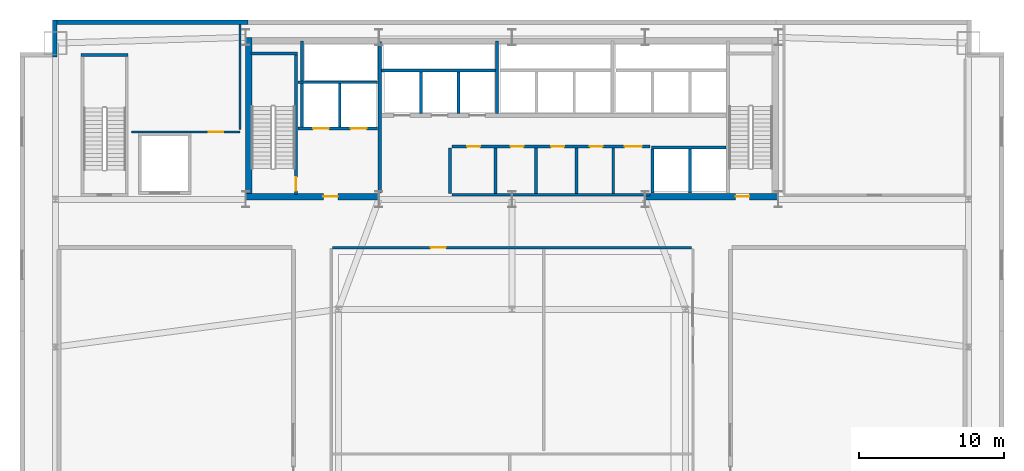
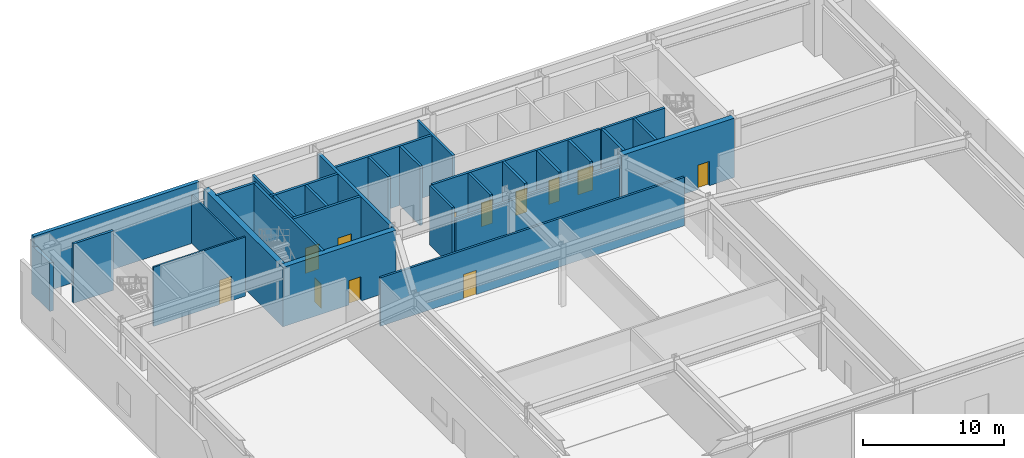
# One storey, part 9 of 12: 30 walls, 12 doors, 12 openings.
"""IFC4 building model written with IfcOpenShell, lengths in metres."""

import ifcopenshell
import ifcopenshell.guid

model = None  # the IFC model being written
_history = None  # IfcOwnerHistory: only IFC2X3 demands one
_inside = {}  # id of a spatial element -> (the spatial element, [elements in it])
_under = {}  # id of a project, library or spatial element -> (it, [spatial elements below it])
_declared = {}  # id of a project -> (the project, [libraries it declares])
_typed = {}  # id of a type object -> (the type object, [elements of that type])
_made_of = {}  # id of a material, layer set ... -> (it, [elements and type objects made of it])


def new_model(schema):
    """Start an empty IFC model of exactly this schema.

    Asked for "IFC4X3", IfcOpenShell would pick the latest addendum, in which some entities
    have other attributes; the version numbers below select the first issue.
    IFC2X3 requires an IfcOwnerHistory on every rooted entity: one is made here for all.
    """
    global model, _history
    if schema == "IFC4X3":
        model = ifcopenshell.file(schema_version=(4, 3, 0, 0))
    else:
        model = ifcopenshell.file(schema=schema)
    _inside.clear()
    _under.clear()
    _declared.clear()
    _typed.clear()
    _made_of.clear()
    _history = None
    if model.schema == "IFC2X3":
        org = make("IfcOrganization", Name="unknown")
        user = make(
            "IfcPersonAndOrganization",
            ThePerson=make("IfcPerson", FamilyName="unknown"),
            TheOrganization=org,
        )
        app = make(
            "IfcApplication",
            ApplicationDeveloper=org,
            Version="unknown",
            ApplicationFullName="unknown",
            ApplicationIdentifier="unknown",
        )
        _history = make(
            "IfcOwnerHistory",
            OwningUser=user,
            OwningApplication=app,
            ChangeAction="ADDED",
            CreationDate=0,
        )
    return model


def make(cls, **values):
    """One entity of the class cls with the attributes given. An attribute that is None is left unset."""
    return model.create_entity(
        cls, **{name: value for name, value in values.items() if value is not None}
    )


def rooted(cls, **values):
    """An entity with a GlobalId (a new one), such as an element, a storey or a relation."""
    return make(cls, GlobalId=ifcopenshell.guid.new(), OwnerHistory=_history, **values)


def si_unit(unit_type, name, prefix=None):
    """IfcSIUnit, for example si_unit("LENGTHUNIT", "METRE", prefix="MILLI")."""
    return make("IfcSIUnit", UnitType=unit_type, Prefix=prefix, Name=name)


def assignment(units):
    """IfcUnitAssignment: the units of a project."""
    return None if units is None else make("IfcUnitAssignment", Units=units)


def point(xyz):
    """IfcCartesianPoint."""
    return None if xyz is None else make("IfcCartesianPoint", Coordinates=xyz)


def direction(xyz):
    """IfcDirection."""
    return None if xyz is None else make("IfcDirection", DirectionRatios=xyz)


def frame(location, z_axis=None, x_axis=None):
    """IfcAxis2Placement3D, a coordinate frame: its origin and axes. An axis left out is left unset."""
    return make(
        "IfcAxis2Placement3D",
        Location=point(location),
        Axis=direction(z_axis),
        RefDirection=direction(x_axis),
    )


def frame_2d(location, x_axis=None):
    """IfcAxis2Placement2D, a coordinate frame in the plane: its origin and x axis."""
    return make(
        "IfcAxis2Placement2D", Location=point(location), RefDirection=direction(x_axis)
    )


def origin():
    """The frame at (0, 0, 0) with its axes left unset."""
    return frame((0.0, 0.0, 0.0))


def place(relative_to, where):
    """IfcLocalPlacement: puts the frame where relative to a parent placement (None: the world)."""
    return make(
        "IfcLocalPlacement", PlacementRelTo=relative_to, RelativePlacement=where
    )


def context(
    kind, dimensions, precision=None, world=None, true_north=None, identifier=None
):
    """IfcGeometricRepresentationContext, for example the 3D "Model" context."""
    return make(
        "IfcGeometricRepresentationContext",
        ContextIdentifier=identifier,
        ContextType=kind,
        CoordinateSpaceDimension=dimensions,
        Precision=precision,
        WorldCoordinateSystem=world,
        TrueNorth=true_north,
    )


def subcontext(parent, identifier, kind, view, scale=None):
    """IfcGeometricRepresentationSubContext, for example "Body" below "Model"."""
    return make(
        "IfcGeometricRepresentationSubContext",
        ContextIdentifier=identifier,
        ContextType=kind,
        ParentContext=parent,
        TargetScale=scale,
        TargetView=view,
    )


def project(units=None, contexts=None):
    """IfcProject with its units and contexts."""
    return rooted(
        "IfcProject",
        Name="project",
        RepresentationContexts=contexts,
        UnitsInContext=assignment(units),
    )


def spatial(cls, under=None, at=None, **own):
    """A site, building, storey or space (cls), placed at a placement, below another one or the project."""
    s = rooted(cls, ObjectPlacement=at, **own)
    if under is not None:
        _under.setdefault(under.id(), (under, []))[1].append(s)
    return s


def profile(cls, at=None, kind="AREA", **sizes):
    """A parametric profile (cls). Its sizes go by their IFC names, for example OverallWidth=200.0."""
    return make(cls, ProfileType=kind, Position=at, **sizes)


def rectangle(**sizes):
    """IfcRectangleProfileDef."""
    return profile("IfcRectangleProfileDef", **sizes)


def extrude(swept, where, along, depth):
    """IfcExtrudedAreaSolid: the profile swept, set in the frame where, extruded along a direction by depth."""
    return make(
        "IfcExtrudedAreaSolid",
        SweptArea=swept,
        Position=where,
        ExtrudedDirection=direction(along),
        Depth=depth,
    )


def shape(context_of_items, identifier, shape_type, items):
    """IfcShapeRepresentation: the items that make up one representation, for example the "Body"."""
    return make(
        "IfcShapeRepresentation",
        ContextOfItems=context_of_items,
        RepresentationIdentifier=identifier,
        RepresentationType=shape_type,
        Items=items,
    )


def source(mapping_origin, context_of_items, identifier, shape_type, items):
    """IfcRepresentationMap: a shape defined once, which mapped items show again and again."""
    return make(
        "IfcRepresentationMap",
        MappingOrigin=mapping_origin,
        MappedRepresentation=shape(context_of_items, identifier, shape_type, items),
    )


def transform(
    local_origin,
    x_axis=None,
    y_axis=None,
    z_axis=None,
    scale=None,
    scale2=None,
    scale3=None,
    uniform=True,
):
    """IfcCartesianTransformationOperator3D, or its non-uniform kind. x_axis, y_axis, z_axis: its Axis1, 2, 3."""
    if uniform:
        return make(
            "IfcCartesianTransformationOperator3D",
            Axis1=direction(x_axis),
            Axis2=direction(y_axis),
            LocalOrigin=point(local_origin),
            Scale=scale,
            Axis3=direction(z_axis),
        )
    return make(
        "IfcCartesianTransformationOperator3DnonUniform",
        Axis1=direction(x_axis),
        Axis2=direction(y_axis),
        LocalOrigin=point(local_origin),
        Scale=scale,
        Axis3=direction(z_axis),
        Scale2=scale2,
        Scale3=scale3,
    )


def mapped(mapping_source, mapping_target):
    """IfcMappedItem: shows the shape of a source again, moved by a transform."""
    return make(
        "IfcMappedItem", MappingSource=mapping_source, MappingTarget=mapping_target
    )


def material(Name=None, Category=None):
    """IfcMaterial."""
    return make("IfcMaterial", Name=Name, Category=Category)


def layer(
    of_material, thickness, ventilated=None, Name=None, Category=None, Priority=None
):
    """IfcMaterialLayer: one layer of a wall or slab, of a material (None: an air gap)."""
    return make(
        "IfcMaterialLayer",
        Material=of_material,
        LayerThickness=thickness,
        IsVentilated=ventilated,
        Name=Name,
        Category=Category,
        Priority=Priority,
    )


def layer_set(layers, Name=None):
    """IfcMaterialLayerSet."""
    return make("IfcMaterialLayerSet", MaterialLayers=layers, LayerSetName=Name)


def made_of(thing, what):
    """Note that an element or type object is made of a material, layer set ...; save() writes the relation."""
    if what is not None:
        _made_of.setdefault(what.id(), (what, []))[1].append(thing)
    return thing


def type_object(cls, material=None, **own):
    """A type object (cls), such as IfcWallType, which elements share."""
    return made_of(rooted(cls, **own), material)


def type_shapes(of_type, sources):
    """Give a type object the sources (RepresentationMaps) that its elements show as mapped items."""
    of_type.RepresentationMaps = sources


def element(
    cls,
    number,
    at=None,
    inside=None,
    cuts=None,
    type_object=None,
    material=None,
    context=None,
    identifier="Body",
    shape_type=None,
    held_by="IfcProductDefinitionShape",
    body=None,
    shapes=None,
    **own,
):
    """One element of the class cls, such as IfcWall. Its Tag is "e" and its number.

    at: its placement. inside: the storey or other place that contains it. cuts: it is an
    opening in that element (IfcRelVoidsElement). A single representation is given by context,
    identifier, shape_type and body (its items); several are given by shapes. held_by: the class
    of the entity that holds the representations. save() writes the other relations.
    """
    e = rooted(cls, Tag="e%d" % number, ObjectPlacement=at, **own)
    if body is not None:
        shapes = [shape(context, identifier, shape_type, body)]
    if shapes is not None:
        e.Representation = make(held_by, Representations=shapes)
    if inside is not None:
        _inside.setdefault(inside.id(), (inside, []))[1].append(e)
    if cuts is not None:
        rooted(
            "IfcRelVoidsElement", RelatingBuildingElement=cuts, RelatedOpeningElement=e
        )
    if type_object is not None:
        _typed.setdefault(type_object.id(), (type_object, []))[1].append(e)
    return made_of(e, material)


def fill(opening, filler):
    """IfcRelFillsElement: the door or window that sits in an opening."""
    return rooted(
        "IfcRelFillsElement",
        RelatingOpeningElement=opening,
        RelatedBuildingElement=filler,
    )


def aggregate(whole, parts):
    """IfcRelAggregates: a whole, such as a stair, and the parts it consists of."""
    return rooted("IfcRelAggregates", RelatingObject=whole, RelatedObjects=parts)


def save(model, path):
    """Write the relations noted so far, then the file.

    IfcRelAggregates (storeys below a building ...), IfcRelContainedInSpatialStructure (elements
    in a storey), IfcRelDefinesByType, IfcRelAssociatesMaterial and IfcRelDeclares: one each for
    every whole, place, type object, material and project.
    """
    for whole, parts in _under.values():
        aggregate(whole, parts)
    for where, things in _inside.values():
        rooted(
            "IfcRelContainedInSpatialStructure",
            RelatedElements=things,
            RelatingStructure=where,
        )
    for kind, things in _typed.values():
        rooted("IfcRelDefinesByType", RelatedObjects=things, RelatingType=kind)
    for what, things in _made_of.values():
        rooted("IfcRelAssociatesMaterial", RelatedObjects=things, RelatingMaterial=what)
    for by, libraries in _declared.values():
        rooted("IfcRelDeclares", RelatingContext=by, RelatedDefinitions=libraries)
    model.write(path)


model = new_model("IFC4")

# Units and contexts
model_context = context("Model", 3, precision=1e-05, world=origin(), true_north=direction((0.0, 1.0)))
body_context = subcontext(model_context, "Body", "Model", "MODEL_VIEW")
ifc_project = project(units=[si_unit("LENGTHUNIT", "METRE"), si_unit("AREAUNIT", "SQUARE_METRE"), si_unit("VOLUMEUNIT", "CUBIC_METRE"), si_unit("PLANEANGLEUNIT", "RADIAN"), si_unit("MASSUNIT", "GRAM", prefix="KILO")], contexts=[model_context])

# Site, building, storey
site_placement = place(None, origin())
site = spatial("IfcSite", under=ifc_project, at=site_placement, CompositionType="ELEMENT")
building_placement = place(site_placement, origin())
building = spatial("IfcBuilding", under=site, at=building_placement, Name="Varnel Quay Broadcast Tower", CompositionType="ELEMENT")
storey_placement = place(building_placement, frame((0.0, 0.0, 11.39990234375)))
storey = spatial("IfcBuildingStorey", under=building, at=storey_placement, Name="L02", CompositionType="ELEMENT", Elevation=11.39990234375)

# Wall, opening, door
ifc_material_1 = material(Name="Concrete CSA A23.3 C50/60", Category="concrete")
ifc_layer_1 = layer(ifc_material_1, 0.199951171875, Name="Concrete CSA A23.3 C50/60")
ifc_layer_set_1 = layer_set([ifc_layer_1], Name="Concrete CSA A23.3 C50/60")
wall_type_1 = type_object("IfcWallType", Name="Wall_CoreShaftShear200", PredefinedType="SHEAR", material=ifc_layer_set_1)
wall_1_placement = place(storey_placement, frame((19.080078125, 35.949951171875, 0.0), z_axis=(0.0, 0.0, 1.0), x_axis=(0.0, 1.0, 0.0)))
wall_1 = element("IfcWall", 1, at=wall_1_placement, inside=storey, type_object=wall_type_1, Name="L02 Stair 1 East Structural Wall", PredefinedType="SHEAR", context=body_context, shape_type="SweptSolid", body=[
    extrude(rectangle(XDim=9.650146484375, YDim=0.199951171875, at=frame_2d((4.8251953125, 0.0))), origin(), (0.0, 0.0, 1.0), 5.1201171875),
])
opening_1_placement = place(wall_1_placement, frame((0.25, 0.0, 0.0)))
opening_1 = element("IfcOpeningElement", 2, at=opening_1_placement, cuts=wall_1, Name="Opening D-L02-S1", PredefinedType="OPENING", context=body_context, shape_type="SweptSolid", body=[
    extrude(rectangle(XDim=0.949951171875, YDim=2.10009765625, at=frame_2d((0.47509765625, 1.050048828125))), frame((0.0, 0.10986328125, 0.0), z_axis=(0.0, -1.0, 0.0), x_axis=(1.0, 0.0, 0.0)), (0.0, 0.0, 1.0), 0.219970703125),
])
ifc_material_2 = material(Name="Insulated Fire-Rated Hollow Steel Door", Category="steel")
door_type_1 = type_object("IfcDoorType", Name="Door_FireStair950", OperationType="NOTDEFINED", PredefinedType="DOOR", material=ifc_material_2)
shared_shape_1 = source(origin(), body_context, "Body", "SweptSolid", [
    extrude(rectangle(XDim=0.949951171875, YDim=2.10009765625, at=frame_2d((0.47509765625, 1.050048828125))), frame((0.0, 0.02490234375, 0.0), z_axis=(0.0, -1.0, 0.0), x_axis=(1.0, 0.0, 0.0)), (0.0, 0.0, 1.0), 0.050048828125),
])
type_shapes(door_type_1, [shared_shape_1])
door_1_placement = place(opening_1_placement, origin())
door_1 = element("IfcDoor", 3, at=door_1_placement, inside=storey, type_object=door_type_1, Name="L02 Stair 1 Fire Door", OperationType="SINGLE_SWING_RIGHT", OverallHeight=2.10009765625, OverallWidth=0.949951171875, PredefinedType="DOOR", context=body_context, shape_type="MappedRepresentation", body=[
    mapped(shared_shape_1, transform((0.0, 0.0, 0.0), x_axis=(1.0, 0.0, 0.0), y_axis=(0.0, 1.0, 0.0), z_axis=(0.0, 0.0, 1.0), scale=1.0)),
])
fill(opening_1, door_1)

# Wall
wall_2_placement = place(storey_placement, frame((15.949951171875, 45.679931640625, 0.0), z_axis=(0.0, 0.0, 1.0), x_axis=(1.0, 0.0, 0.0)))
element("IfcWall", 4, at=wall_2_placement, inside=storey, type_object=wall_type_1, Name="L02 Stair 1 North Structural Wall", PredefinedType="SHEAR", context=body_context, shape_type="SweptSolid", body=[
    extrude(rectangle(XDim=3.22998046875, YDim=0.199951171875, at=frame_2d((1.614990234375, 0.0))), origin(), (0.0, 0.0, 1.0), 5.1201171875),
])

# Wall, openings, doors
wall_3_placement = place(storey_placement, frame((19.199951171875, 40.5, 0.0), z_axis=(0.0, 0.0, 1.0), x_axis=(1.0, 0.0, 0.0)))
wall_3 = element("IfcWall", 5, at=wall_3_placement, inside=storey, type_object=wall_type_1, Name="L02 Firefighter Lift Shaft Front Wall", PredefinedType="SHEAR", context=body_context, shape_type="SweptSolid", body=[
    extrude(rectangle(XDim=5.52001953125, YDim=0.199951171875, at=frame_2d((2.760009765625, 0.0))), origin(), (0.0, 0.0, 1.0), 5.1201171875),
])
opening_2_placement = place(wall_3_placement, frame((1.050048828125, 0.0, 0.0)))
opening_2 = element("IfcOpeningElement", 6, at=opening_2_placement, cuts=wall_3, Name="Opening LD-L02-FE1", PredefinedType="OPENING", context=body_context, shape_type="SweptSolid", body=[
    extrude(rectangle(XDim=1.10009765625, YDim=2.179931640625, at=frame_2d((0.550048828125, 1.08984375))), frame((0.0, 0.10986328125, 0.0), z_axis=(0.0, -1.0, 0.0), x_axis=(1.0, 0.0, 0.0)), (0.0, 0.0, 1.0), 0.219970703125),
])
opening_3_placement = place(wall_3_placement, frame((3.64990234375, 0.0, 0.0)))
opening_3 = element("IfcOpeningElement", 7, at=opening_3_placement, cuts=wall_3, Name="Opening LD-L02-FE2", PredefinedType="OPENING", context=body_context, shape_type="SweptSolid", body=[
    extrude(rectangle(XDim=1.10009765625, YDim=2.179931640625, at=frame_2d((0.550048828125, 1.08984375))), frame((0.0, 0.10986328125, 0.0), z_axis=(0.0, -1.0, 0.0), x_axis=(1.0, 0.0, 0.0)), (0.0, 0.0, 1.0), 0.219970703125),
])
ifc_material_3 = material(Name="Brushed Bronze-Stainless Lift Car & Sliding Doors", Category="steel")
door_type_2 = type_object("IfcDoorType", Name="Door_LiftLanding1100", OperationType="SLIDING_TO_LEFT", PredefinedType="DOOR", material=ifc_material_3)
shared_shape_2 = source(origin(), body_context, "Body", "SweptSolid", [
    extrude(rectangle(XDim=1.10009765625, YDim=2.179931640625, at=frame_2d((0.550048828125, 1.08984375))), frame((0.0, 0.02490234375, 0.0), z_axis=(0.0, -1.0, 0.0), x_axis=(1.0, 0.0, 0.0)), (0.0, 0.0, 1.0), 0.050048828125),
])
type_shapes(door_type_2, [shared_shape_2])
door_2_placement = place(opening_2_placement, frame((1.10009765625, 0.0, 0.0), z_axis=(0.0, 0.0, 1.0), x_axis=(-1.0, 0.0, 0.0)))
door_2 = element("IfcDoor", 8, at=door_2_placement, inside=storey, type_object=door_type_2, Name="L02 Firefighter Lift FE-01 Landing Door", OperationType="SLIDING_TO_LEFT", OverallHeight=2.179931640625, OverallWidth=1.10009765625, PredefinedType="DOOR", context=body_context, shape_type="MappedRepresentation", body=[
    mapped(shared_shape_2, transform((0.0, 0.0, 0.0), x_axis=(1.0, 0.0, 0.0), y_axis=(0.0, 1.0, 0.0), z_axis=(0.0, 0.0, 1.0), scale=1.0)),
])
fill(opening_2, door_2)
door_3_placement = place(opening_3_placement, frame((1.10009765625, 0.0, 0.0), z_axis=(0.0, 0.0, 1.0), x_axis=(-1.0, 0.0, 0.0)))
door_3 = element("IfcDoor", 9, at=door_3_placement, inside=storey, type_object=door_type_2, Name="L02 Firefighter Lift FE-02 Landing Door", OperationType="SLIDING_TO_RIGHT", OverallHeight=2.179931640625, OverallWidth=1.10009765625, PredefinedType="DOOR", context=body_context, shape_type="MappedRepresentation", body=[
    mapped(shared_shape_2, transform((0.0, 0.0, 0.0), x_axis=(1.0, 0.0, 0.0), y_axis=(0.0, 1.0, 0.0), z_axis=(0.0, 0.0, 1.0), scale=1.0)),
])
fill(opening_3, door_3)

# Walls
wall_4_placement = place(storey_placement, frame((19.199951171875, 43.699951171875, 0.0), z_axis=(0.0, 0.0, 1.0), x_axis=(1.0, 0.0, 0.0)))
element("IfcWall", 10, at=wall_4_placement, inside=storey, type_object=wall_type_1, Name="L02 Firefighter Lift Shaft Rear Wall", PredefinedType="SHEAR", context=body_context, shape_type="SweptSolid", body=[
    extrude(rectangle(XDim=5.52001953125, YDim=0.199951171875, at=frame_2d((2.760009765625, 0.0))), origin(), (0.0, 0.0, 1.0), 5.1201171875),
])
wall_5_placement = place(storey_placement, frame((22.10009765625, 40.60009765625, 0.0), z_axis=(0.0, 0.0, 1.0), x_axis=(0.0, 1.0, 0.0)))
element("IfcWall", 11, at=wall_5_placement, inside=storey, type_object=wall_type_1, Name="L02 Firefighter Lift Shaft Divider", PredefinedType="SHEAR", context=body_context, shape_type="SweptSolid", body=[
    extrude(rectangle(XDim=3.0, YDim=0.199951171875, at=frame_2d((1.5, 0.0))), origin(), (0.0, 0.0, 1.0), 5.1201171875),
])
wall_6_placement = place(storey_placement, frame((19.5, 40.60009765625, 0.0), z_axis=(0.0, 0.0, 1.0), x_axis=(0.0, 1.0, 0.0)))
element("IfcWall", 12, at=wall_6_placement, inside=storey, type_object=wall_type_1, Name="L02 Firefighter Lift Shaft West Wall", PredefinedType="SHEAR", context=body_context, shape_type="SweptSolid", body=[
    extrude(rectangle(XDim=5.949951171875, YDim=0.199951171875, at=frame_2d((2.97509765625, 0.0))), origin(), (0.0, 0.0, 1.0), 5.1201171875),
])
wall_7_placement = place(storey_placement, frame((24.97998046875, 44.5, 0.0), z_axis=(0.0, 0.0, 1.0), x_axis=(1.0, 0.0, 0.0)))
element("IfcWall", 13, at=wall_7_placement, inside=storey, type_object=wall_type_1, Name="L02 Low-Rise Lift Shaft Rear Wall", PredefinedType="SHEAR", context=body_context, shape_type="SweptSolid", body=[
    extrude(rectangle(XDim=7.8701171875, YDim=0.199951171875, at=frame_2d((3.93505859375, 0.0))), origin(), (0.0, 0.0, 1.0), 5.1201171875),
])
for number, where, z_axis, x_axis, name in (
    (14, (27.699951171875, 41.530029296875, 0.0), (0.0, 0.0, 1.0), (0.0, 1.0, 0.0), "L02 Low-Rise Lift Shaft Divider 1"),
    (15, (30.300048828125, 41.530029296875, 0.0), (0.0, 0.0, 1.0), (0.0, 1.0, 0.0), "L02 Low-Rise Lift Shaft Divider 2"),
):
    element("IfcWall", number, at=place(storey_placement, frame(where, z_axis=z_axis, x_axis=x_axis)), inside=storey, type_object=wall_type_1, Name=name, PredefinedType="SHEAR", context=body_context, shape_type="SweptSolid", body=[
        extrude(rectangle(XDim=2.869873046875, YDim=0.199951171875, at=frame_2d((1.43505859375, 0.0))), origin(), (0.0, 0.0, 1.0), 5.1201171875),
    ])
wall_8_placement = place(storey_placement, frame((32.949951171875, 41.530029296875, 0.0), z_axis=(0.0, 0.0, 1.0), x_axis=(0.0, 1.0, 0.0)))
element("IfcWall", 16, at=wall_8_placement, inside=storey, type_object=wall_type_1, Name="L02 Low-Rise Lift Shaft Divider 3", PredefinedType="SHEAR", context=body_context, shape_type="SweptSolid", body=[
    extrude(rectangle(XDim=5.02001953125, YDim=0.199951171875, at=frame_2d((2.510009765625, 0.0))), origin(), (0.0, 0.0, 1.0), 5.1201171875),
])
for number, where, z_axis, x_axis, name in (
    (17, (43.699951171875, 36.050048828125, 0.0), (0.0, 0.0, 1.0), (0.0, 1.0, 0.0), "L02 Express Lift Shaft West Wall"),
    (18, (46.300048828125, 36.050048828125, 0.0), (0.0, 0.0, 1.0), (0.0, 1.0, 0.0), "L02 Express Lift Shaft Divider"),
):
    element("IfcWall", number, at=place(storey_placement, frame(where, z_axis=z_axis, x_axis=x_axis)), inside=storey, type_object=wall_type_1, Name=name, PredefinedType="SHEAR", context=body_context, shape_type="SweptSolid", body=[
        extrude(rectangle(XDim=3.050048828125, YDim=0.199951171875, at=frame_2d((1.52490234375, 0.0))), origin(), (0.0, 0.0, 1.0), 5.1201171875),
    ])
wall_9_placement = place(storey_placement, frame((43.64990234375, 39.199951171875, 0.0), z_axis=(0.0, 0.0, 1.0), x_axis=(1.0, 0.0, 0.0)))
element("IfcWall", 19, at=wall_9_placement, inside=storey, type_object=wall_type_1, Name="L02 Express Lift Shaft North Front Wall", PredefinedType="SHEAR", context=body_context, shape_type="SweptSolid", body=[
    extrude(rectangle(XDim=5.150146484375, YDim=0.199951171875, at=frame_2d((2.5751953125, 0.0))), origin(), (0.0, 0.0, 1.0), 5.1201171875),
])
wall_10_placement = place(storey_placement, frame((4.219970703125, 45.580078125, 0.0), z_axis=(0.0, 0.0, 1.0), x_axis=(1.0, 0.0, 0.0)))
element("IfcWall", 20, at=wall_10_placement, inside=storey, type_object=wall_type_1, Name="L02 Podium Stair 3 N Structural Wall", PredefinedType="SHEAR", context=body_context, shape_type="SweptSolid", body=[
    extrude(rectangle(XDim=3.260009765625, YDim=0.199951171875, at=frame_2d((1.6298828125, 0.0))), origin(), (0.0, 0.0, 1.0), 5.1201171875),
])
ifc_layer_2 = layer(ifc_material_1, 0.25, Name="Concrete CSA A23.3 C50/60")
ifc_layer_set_2 = layer_set([ifc_layer_2], Name="Concrete CSA A23.3 C50/60")
wall_type_2 = type_object("IfcWallType", Name="Wall_CoreShaftShear250", PredefinedType="SHEAR", material=ifc_layer_set_2)
wall_11_placement = place(storey_placement, frame((24.85009765625, 36.050048828125, 0.0), z_axis=(0.0, 0.0, 1.0), x_axis=(0.0, 1.0, 0.0)))
element("IfcWall", 21, at=wall_11_placement, inside=storey, type_object=wall_type_2, Name="L02 Firefighting Lobby East Structural Wall", PredefinedType="SHEAR", context=body_context, shape_type="SweptSolid", body=[
    extrude(rectangle(XDim=10.449951171875, YDim=0.25, at=frame_2d((5.22509765625, 0.0))), origin(), (0.0, 0.0, 1.0), 5.1201171875),
])
ifc_material_4 = material(Name="Concrete CSA A23.3 C60/75", Category="concrete")
ifc_layer_3 = layer(ifc_material_4, 0.449951171875, Name="Concrete CSA A23.3 C60/75")
ifc_layer_set_3 = layer_set([ifc_layer_3], Name="Concrete CSA A23.3 C60/75")
wall_type_3 = type_object("IfcWallType", Name="Wall_CoreShearInt450", PredefinedType="SHEAR", material=ifc_layer_set_3)
wall_12_placement = place(storey_placement, frame((15.794921875, 35.570068359375, 0.0), z_axis=(0.0, 0.0, 1.0), x_axis=(0.0, 1.0, 0.0)))
element("IfcWall", 22, at=wall_12_placement, inside=storey, type_object=wall_type_3, Name="L02 West Core Shear Wall", PredefinedType="SHEAR", context=body_context, shape_type="SweptSolid", body=[
    extrude(rectangle(XDim=11.22998046875, YDim=0.449951171875, at=frame_2d((5.614990234375, 0.0))), origin(), (0.0, 0.0, 1.0), 5.1201171875),
])

# Wall, opening, door
wall_13_placement = place(storey_placement, frame((15.570068359375, 35.794921875, 0.0), z_axis=(0.0, 0.0, 1.0), x_axis=(1.0, 0.0, 0.0)))
wall_13 = element("IfcWall", 23, at=wall_13_placement, inside=storey, type_object=wall_type_3, Name="L02 South-West Core Shear Wall", PredefinedType="SHEAR", context=body_context, shape_type="SweptSolid", body=[
    extrude(rectangle(XDim=9.22998046875, YDim=0.449951171875, at=frame_2d((4.614990234375, 0.0))), origin(), (0.0, 0.0, 1.0), 5.1201171875),
])
opening_4_placement = place(wall_13_placement, frame((5.39990234375, 0.0, 0.0)))
opening_4 = element("IfcOpeningElement", 24, at=opening_4_placement, cuts=wall_13, Name="Opening D-L02-FFL", PredefinedType="OPENING", context=body_context, shape_type="SweptSolid", body=[
    extrude(rectangle(XDim=1.0, YDim=2.10009765625, at=frame_2d((0.5, 1.050048828125))), frame((0.0, 0.23486328125, 0.0), z_axis=(0.0, -1.0, 0.0), x_axis=(1.0, 0.0, 0.0)), (0.0, 0.0, 1.0), 0.469970703125),
])
door_type_3 = type_object("IfcDoorType", Name="Door_FireLobby1000", OperationType="NOTDEFINED", PredefinedType="DOOR", material=ifc_material_2)
shared_shape_3 = source(origin(), body_context, "Body", "SweptSolid", [
    extrude(rectangle(XDim=1.0, YDim=2.10009765625, at=frame_2d((0.5, 1.050048828125))), frame((0.0, 0.02490234375, 0.0), z_axis=(0.0, -1.0, 0.0), x_axis=(1.0, 0.0, 0.0)), (0.0, 0.0, 1.0), 0.050048828125),
])
type_shapes(door_type_3, [shared_shape_3])
door_4_placement = place(opening_4_placement, origin())
door_4 = element("IfcDoor", 25, at=door_4_placement, inside=storey, type_object=door_type_3, Name="L02 Firefighting Lobby Door", OperationType="SINGLE_SWING_LEFT", OverallHeight=2.10009765625, OverallWidth=1.0, PredefinedType="DOOR", context=body_context, shape_type="MappedRepresentation", body=[
    mapped(shared_shape_3, transform((0.0, 0.0, 0.0), x_axis=(1.0, 0.0, 0.0), y_axis=(0.0, 1.0, 0.0), z_axis=(0.0, 0.0, 1.0), scale=1.0)),
])
fill(opening_4, door_4)

wall_14_placement = place(storey_placement, frame((43.199951171875, 35.794921875, 0.0), z_axis=(0.0, 0.0, 1.0), x_axis=(1.0, 0.0, 0.0)))
wall_14 = element("IfcWall", 26, at=wall_14_placement, inside=storey, type_object=wall_type_3, Name="L02 South-East Core Shear Wall", PredefinedType="SHEAR", context=body_context, shape_type="SweptSolid", body=[
    extrude(rectangle(XDim=9.22998046875, YDim=0.449951171875, at=frame_2d((4.614990234375, 0.0))), origin(), (0.0, 0.0, 1.0), 5.1201171875),
])
opening_5_placement = place(wall_14_placement, frame((6.25, 0.0, 0.0)))
opening_5 = element("IfcOpeningElement", 27, at=opening_5_placement, cuts=wall_14, Name="Opening D-L02-S2", PredefinedType="OPENING", context=body_context, shape_type="SweptSolid", body=[
    extrude(rectangle(XDim=0.949951171875, YDim=2.10009765625, at=frame_2d((0.47509765625, 1.050048828125))), frame((0.0, 0.23486328125, 0.0), z_axis=(0.0, -1.0, 0.0), x_axis=(1.0, 0.0, 0.0)), (0.0, 0.0, 1.0), 0.469970703125),
])
door_5_placement = place(opening_5_placement, origin())
door_5 = element("IfcDoor", 28, at=door_5_placement, inside=storey, type_object=door_type_1, Name="L02 Stair 2 Fire Door", OperationType="SINGLE_SWING_RIGHT", OverallHeight=2.10009765625, OverallWidth=0.949951171875, PredefinedType="DOOR", context=body_context, shape_type="MappedRepresentation", body=[
    mapped(shared_shape_1, transform((0.0, 0.0, 0.0), x_axis=(1.0, 0.0, 0.0), y_axis=(0.0, 1.0, 0.0), z_axis=(0.0, 0.0, 1.0), scale=1.0)),
])
fill(opening_5, door_5)

# Walls
ifc_material_5 = material(Name="Precast Architectural Concrete C40/50", Category="concrete")
ifc_layer_4 = layer(ifc_material_5, 0.300048828125, Name="Precast Architectural Concrete C40/50")
ifc_layer_set_4 = layer_set([ifc_layer_4], Name="Precast Architectural Concrete C40/50")
wall_type_4 = type_object("IfcWallType", Name="Wall_ExtPodium300", PredefinedType="SOLIDWALL", material=ifc_layer_set_4)
wall_15_placement = place(storey_placement, frame((2.25, 47.85009765625, 0.0), z_axis=(0.0, 0.0, 1.0), x_axis=(1.0, 0.0, 0.0)))
element("IfcWall", 29, at=wall_15_placement, inside=storey, type_object=wall_type_4, Name="L02 North Podium Exterior Wall NW", PredefinedType="SOLIDWALL", context=body_context, shape_type="SweptSolid", body=[
    extrude(rectangle(XDim=13.5, YDim=0.300048828125, at=frame_2d((6.75, 0.0))), origin(), (0.0, 0.0, 1.0), 5.10009765625),
])
wall_16_placement = place(storey_placement, frame((2.39990234375, 45.449951171875, 0.0), z_axis=(0.0, 0.0, 1.0), x_axis=(0.0, 1.0, 0.0)))
element("IfcWall", 30, at=wall_16_placement, inside=storey, type_object=wall_type_4, Name="L02 Podium Acoustic Exterior Wall NNW2", PredefinedType="SOLIDWALL", context=body_context, shape_type="SweptSolid", body=[
    extrude(rectangle(XDim=2.550048828125, YDim=0.300048828125, at=frame_2d((1.27490234375, 0.0))), origin(), (0.0, 0.0, 1.0), 4.18310546875),
])
ifc_material_6 = material(Name="Concrete Blockwork Fire Enclosure C40/50", Category="masonry")
ifc_layer_5 = layer(ifc_material_6, 0.199951171875, Name="Concrete Blockwork Fire Enclosure C40/50")
ifc_layer_set_5 = layer_set([ifc_layer_5], Name="Concrete Blockwork Fire Enclosure C40/50")
wall_type_5 = type_object("IfcWallType", Name="Wall_FireShaft200", PredefinedType="SOLIDWALL", material=ifc_layer_set_5)
wall_17_placement = place(storey_placement, frame((29.85009765625, 35.925048828125, 0.0), z_axis=(0.0, 0.0, 1.0), x_axis=(1.0, 0.0, 0.0)))
element("IfcWall", 31, at=wall_17_placement, inside=storey, type_object=wall_type_5, Name="L02 Accessible Washroom Partition 1", PredefinedType="SOLIDWALL", context=body_context, shape_type="SweptSolid", body=[
    extrude(rectangle(XDim=13.699951171875, YDim=0.199951171875, at=frame_2d((6.85009765625, 0.0))), origin(), (0.0, 0.0, 1.0), 4.18310546875),
])

# Wall, openings, doors
wall_18_placement = place(storey_placement, frame((29.85009765625, 39.25, 0.0), z_axis=(0.0, 0.0, 1.0), x_axis=(1.0, 0.0, 0.0)))
wall_18 = element("IfcWall", 32, at=wall_18_placement, inside=storey, type_object=wall_type_5, Name="L02 Accessible Washroom Partition 3", PredefinedType="SOLIDWALL", context=body_context, shape_type="SweptSolid", body=[
    extrude(rectangle(XDim=13.699951171875, YDim=0.199951171875, at=frame_2d((6.85009765625, 0.0))), origin(), (0.0, 0.0, 1.0), 5.10009765625),
])
opening_6_placement = place(wall_18_placement, frame((1.050048828125, 0.0, 0.0)))
opening_6 = element("IfcOpeningElement", 33, at=opening_6_placement, cuts=wall_18, Name="Opening D-L02-01", PredefinedType="OPENING", context=body_context, shape_type="SweptSolid", body=[
    extrude(rectangle(XDim=0.89990234375, YDim=2.06005859375, at=frame_2d((0.449951171875, 1.030029296875))), frame((0.0, 0.10986328125, 0.0), z_axis=(0.0, -1.0, 0.0), x_axis=(1.0, 0.0, 0.0)), (0.0, 0.0, 1.0), 0.219970703125),
])
opening_7_placement = place(wall_18_placement, frame((4.050048828125, 0.0, 0.0)))
opening_7 = element("IfcOpeningElement", 34, at=opening_7_placement, cuts=wall_18, Name="Opening D-L02-02", PredefinedType="OPENING", context=body_context, shape_type="SweptSolid", body=[
    extrude(rectangle(XDim=0.89990234375, YDim=2.06005859375, at=frame_2d((0.449951171875, 1.030029296875))), frame((0.0, 0.10986328125, 0.0), z_axis=(0.0, -1.0, 0.0), x_axis=(1.0, 0.0, 0.0)), (0.0, 0.0, 1.0), 0.219970703125),
])
opening_8_placement = place(wall_18_placement, frame((6.85009765625, 0.0, 0.0)))
opening_8 = element("IfcOpeningElement", 35, at=opening_8_placement, cuts=wall_18, Name="Opening D-L02-03", PredefinedType="OPENING", context=body_context, shape_type="SweptSolid", body=[
    extrude(rectangle(XDim=0.89990234375, YDim=2.06005859375, at=frame_2d((0.449951171875, 1.030029296875))), frame((0.0, 0.10986328125, 0.0), z_axis=(0.0, -1.0, 0.0), x_axis=(1.0, 0.0, 0.0)), (0.0, 0.0, 1.0), 0.219970703125),
])
opening_9_placement = place(wall_18_placement, frame((9.534912109375, 0.0, 0.0)))
opening_9 = element("IfcOpeningElement", 36, at=opening_9_placement, cuts=wall_18, Name="Opening D-L02-04", PredefinedType="OPENING", context=body_context, shape_type="SweptSolid", body=[
    extrude(rectangle(XDim=0.8798828125, YDim=2.06005859375, at=frame_2d((0.43994140625, 1.030029296875))), frame((0.0, 0.10986328125, 0.0), z_axis=(0.0, -1.0, 0.0), x_axis=(1.0, 0.0, 0.0)), (0.0, 0.0, 1.0), 0.219970703125),
])
opening_10_placement = place(wall_18_placement, frame((11.925048828125, 0.0, 0.0)))
opening_10 = element("IfcOpeningElement", 37, at=opening_10_placement, cuts=wall_18, Name="Opening D-L02-05", PredefinedType="OPENING", context=body_context, shape_type="SweptSolid", body=[
    extrude(rectangle(XDim=1.199951171875, YDim=2.10009765625, at=frame_2d((0.60009765625, 1.050048828125))), frame((0.0, 0.10986328125, 0.0), z_axis=(0.0, -1.0, 0.0), x_axis=(1.0, 0.0, 0.0)), (0.0, 0.0, 1.0), 0.219970703125),
])
ifc_material_7 = material(Name="Solid-Core Fire-Rated Acoustic Oak Veneer Door", Category="wood")
door_type_4 = type_object("IfcDoorType", Name="Door_Washroom900", OperationType="NOTDEFINED", PredefinedType="DOOR", material=ifc_material_7)
shared_shape_4 = source(origin(), body_context, "Body", "SweptSolid", [
    extrude(rectangle(XDim=0.89990234375, YDim=2.06005859375, at=frame_2d((0.449951171875, 1.030029296875))), frame((0.0, 0.02490234375, 0.0), z_axis=(0.0, -1.0, 0.0), x_axis=(1.0, 0.0, 0.0)), (0.0, 0.0, 1.0), 0.050048828125),
])
type_shapes(door_type_4, [shared_shape_4])
door_6_placement = place(opening_6_placement, frame((0.89990234375, 0.0, 0.0), z_axis=(0.0, 0.0, 1.0), x_axis=(-1.0, 0.0, 0.0)))
door_6 = element("IfcDoor", 38, at=door_6_placement, inside=storey, type_object=door_type_4, Name="L02 Accessible Washroom Door D-L02-01", OperationType="SINGLE_SWING_RIGHT", OverallHeight=2.06005859375, OverallWidth=0.89990234375, PredefinedType="DOOR", context=body_context, shape_type="MappedRepresentation", body=[
    mapped(shared_shape_4, transform((0.0, 0.0, 0.0), x_axis=(1.0, 0.0, 0.0), y_axis=(0.0, 1.0, 0.0), z_axis=(0.0, 0.0, 1.0), scale=1.0)),
])
fill(opening_6, door_6)
door_7_placement = place(opening_7_placement, frame((0.89990234375, 0.0, 0.0), z_axis=(0.0, 0.0, 1.0), x_axis=(-1.0, 0.0, 0.0)))
door_7 = element("IfcDoor", 39, at=door_7_placement, inside=storey, type_object=door_type_4, Name="L02 West Gender-Neutral Washroom Door D-L02-02", OperationType="SINGLE_SWING_LEFT", OverallHeight=2.06005859375, OverallWidth=0.89990234375, PredefinedType="DOOR", context=body_context, shape_type="MappedRepresentation", body=[
    mapped(shared_shape_4, transform((0.0, 0.0, 0.0), x_axis=(1.0, 0.0, 0.0), y_axis=(0.0, 1.0, 0.0), z_axis=(0.0, 0.0, 1.0), scale=1.0)),
])
fill(opening_7, door_7)
door_8_placement = place(opening_8_placement, frame((0.89990234375, 0.0, 0.0), z_axis=(0.0, 0.0, 1.0), x_axis=(-1.0, 0.0, 0.0)))
door_8 = element("IfcDoor", 40, at=door_8_placement, inside=storey, type_object=door_type_4, Name="L02 East Staff Washroom Door D-L02-03", OperationType="SINGLE_SWING_RIGHT", OverallHeight=2.06005859375, OverallWidth=0.89990234375, PredefinedType="DOOR", context=body_context, shape_type="MappedRepresentation", body=[
    mapped(shared_shape_4, transform((0.0, 0.0, 0.0), x_axis=(1.0, 0.0, 0.0), y_axis=(0.0, 1.0, 0.0), z_axis=(0.0, 0.0, 1.0), scale=1.0)),
])
fill(opening_8, door_8)
door_type_5 = type_object("IfcDoorType", Name="Door_Plant1200", OperationType="NOTDEFINED", PredefinedType="DOOR", material=ifc_material_2)
shared_shape_5 = source(origin(), body_context, "Body", "SweptSolid", [
    extrude(rectangle(XDim=1.199951171875, YDim=2.10009765625, at=frame_2d((0.60009765625, 1.050048828125))), frame((0.0, 0.02490234375, 0.0), z_axis=(0.0, -1.0, 0.0), x_axis=(1.0, 0.0, 0.0)), (0.0, 0.0, 1.0), 0.050048828125),
])
type_shapes(door_type_5, [shared_shape_5])
door_9_placement = place(opening_10_placement, origin())
door_9 = element("IfcDoor", 41, at=door_9_placement, inside=storey, type_object=door_type_5, Name="L02 Telecom IDF Closet Door D-L02-05", OperationType="SINGLE_SWING_RIGHT", OverallHeight=2.10009765625, OverallWidth=1.199951171875, PredefinedType="DOOR", context=body_context, shape_type="MappedRepresentation", body=[
    mapped(shared_shape_5, transform((0.0, 0.0, 0.0), x_axis=(1.0, 0.0, 0.0), y_axis=(0.0, 1.0, 0.0), z_axis=(0.0, 0.0, 1.0), scale=1.0)),
])
fill(opening_10, door_9)
door_type_6 = type_object("IfcDoorType", Name="Door_Booth880", OperationType="NOTDEFINED", PredefinedType="DOOR", material=ifc_material_7)
shared_shape_6 = source(origin(), body_context, "Body", "SweptSolid", [
    extrude(rectangle(XDim=0.8798828125, YDim=2.06005859375, at=frame_2d((0.43994140625, 1.030029296875))), frame((0.0, 0.02490234375, 0.0), z_axis=(0.0, -1.0, 0.0), x_axis=(1.0, 0.0, 0.0)), (0.0, 0.0, 1.0), 0.050048828125),
])
type_shapes(door_type_6, [shared_shape_6])
door_10_placement = place(opening_9_placement, frame((0.8798828125, 0.0, 0.0), z_axis=(0.0, 0.0, 1.0), x_axis=(-1.0, 0.0, 0.0)))
door_10 = element("IfcDoor", 42, at=door_10_placement, inside=storey, type_object=door_type_6, Name="L02 Cleaners' & Linen Store Door D-L02-04", OperationType="SINGLE_SWING_LEFT", OverallHeight=2.06005859375, OverallWidth=0.8798828125, PredefinedType="DOOR", context=body_context, shape_type="MappedRepresentation", body=[
    mapped(shared_shape_6, transform((0.0, 0.0, 0.0), x_axis=(1.0, 0.0, 0.0), y_axis=(0.0, 1.0, 0.0), z_axis=(0.0, 0.0, 1.0), scale=1.0)),
])
fill(opening_9, door_10)

# Wall
wall_19_placement = place(storey_placement, frame((41.0, 36.02490234375, 0.0), z_axis=(0.0, 0.0, 1.0), x_axis=(0.0, 1.0, 0.0)))
element("IfcWall", 43, at=wall_19_placement, inside=storey, type_object=wall_type_5, Name="L02 Cleaners' & Linen Store Partition 7", PredefinedType="SOLIDWALL", context=body_context, shape_type="SweptSolid", body=[
    extrude(rectangle(XDim=3.125, YDim=0.199951171875, at=frame_2d((1.5625, 0.0))), origin(), (0.0, 0.0, 1.0), 5.10009765625),
])

# Wall, opening, door
ifc_material_8 = material(Name="Steel-Stud Fire-Rated Acoustic Gypsum Partition Assembly", Category="steel")
ifc_layer_6 = layer(ifc_material_8, 0.139892578125, Name="Steel-Stud Fire-Rated Acoustic Gypsum Partition Assembly")
ifc_layer_set_6 = layer_set([ifc_layer_6], Name="Steel-Stud Fire-Rated Acoustic Gypsum Partition Assembly")
wall_type_6 = type_object("IfcWallType", Name="Wall_Partition140", PredefinedType="PARTITIONING", material=ifc_layer_set_6)
wall_20_placement = place(storey_placement, frame((7.699951171875, 40.260009765625, 0.0), z_axis=(0.0, 0.0, 1.0), x_axis=(1.0, 0.0, 0.0)))
wall_20 = element("IfcWall", 44, at=wall_20_placement, inside=storey, type_object=wall_type_6, Name="L02 North-West Production Lounge Partition 20", PredefinedType="PARTITIONING", context=body_context, shape_type="SweptSolid", body=[
    extrude(rectangle(XDim=7.5, YDim=0.139892578125, at=frame_2d((3.75, 0.0))), origin(), (0.0, 0.0, 1.0), 5.10009765625),
])
opening_11_placement = place(wall_20_placement, frame((5.35009765625, 0.0, 0.0)))
opening_11 = element("IfcOpeningElement", 45, at=opening_11_placement, cuts=wall_20, Name="Opening D-L02-12", PredefinedType="OPENING", context=body_context, shape_type="SweptSolid", body=[
    extrude(rectangle(XDim=1.0, YDim=2.10009765625, at=frame_2d((0.5, 1.050048828125))), frame((0.0, 0.080078125, 0.0), z_axis=(0.0, -1.0, 0.0), x_axis=(1.0, 0.0, 0.0)), (0.0, 0.0, 1.0), 0.159912109375),
])
door_type_7 = type_object("IfcDoorType", Name="Door_Exec1000", OperationType="NOTDEFINED", PredefinedType="DOOR", material=ifc_material_7)
shared_shape_7 = source(origin(), body_context, "Body", "SweptSolid", [
    extrude(rectangle(XDim=1.0, YDim=2.10009765625, at=frame_2d((0.5, 1.050048828125))), frame((0.0, 0.02490234375, 0.0), z_axis=(0.0, -1.0, 0.0), x_axis=(1.0, 0.0, 0.0)), (0.0, 0.0, 1.0), 0.050048828125),
])
type_shapes(door_type_7, [shared_shape_7])
door_11_placement = place(opening_11_placement, origin())
door_11 = element("IfcDoor", 46, at=door_11_placement, inside=storey, type_object=door_type_7, Name="L02 North-West Production Lounge Door D-L02-12", OperationType="SINGLE_SWING_RIGHT", OverallHeight=2.10009765625, OverallWidth=1.0, PredefinedType="DOOR", context=body_context, shape_type="MappedRepresentation", body=[
    mapped(shared_shape_7, transform((0.0, 0.0, 0.0), x_axis=(1.0, 0.0, 0.0), y_axis=(0.0, 1.0, 0.0), z_axis=(0.0, 0.0, 1.0), scale=1.0)),
])
fill(opening_11, door_11)

# Wall
wall_21_placement = place(storey_placement, frame((15.199951171875, 40.419921875, 0.0), z_axis=(0.0, 0.0, 1.0), x_axis=(0.0, 1.0, 0.0)))
element("IfcWall", 47, at=wall_21_placement, inside=storey, type_object=wall_type_6, Name="L02 North-West Production Lounge Partition 21", PredefinedType="PARTITIONING", context=body_context, shape_type="SweptSolid", body=[
    extrude(rectangle(XDim=7.27001953125, YDim=0.139892578125, at=frame_2d((3.635009765625, 0.0))), origin(), (0.0, 0.0, 1.0), 4.18310546875),
])

# Wall, opening, door
ifc_layer_7 = layer(ifc_material_8, 0.175048828125, Name="Steel-Stud Fire-Rated Acoustic Gypsum Partition Assembly")
ifc_layer_set_7 = layer_set([ifc_layer_7], Name="Steel-Stud Fire-Rated Acoustic Gypsum Partition Assembly")
wall_type_7 = type_object("IfcWallType", Name="Wall_Partition175", PredefinedType="PARTITIONING", material=ifc_layer_set_7)
wall_22_placement = place(storey_placement, frame((21.60009765625, 32.27490234375, 0.0), z_axis=(0.0, 0.0, 1.0), x_axis=(1.0, 0.0, 0.0)))
wall_22 = element("IfcWall", 48, at=wall_22_placement, inside=storey, type_object=wall_type_7, Name="L02 Production Scheduling Conference Room Partition 19", PredefinedType="PARTITIONING", context=body_context, shape_type="SweptSolid", body=[
    extrude(rectangle(XDim=24.7998046875, YDim=0.175048828125, at=frame_2d((12.39990234375, 0.0))), origin(), (0.0, 0.0, 1.0), 4.18310546875),
])
opening_12_placement = place(wall_22_placement, frame((6.77490234375, 0.0, 0.0)))
opening_12 = element("IfcOpeningElement", 49, at=opening_12_placement, cuts=wall_22, Name="Opening D-L02-10", PredefinedType="OPENING", context=body_context, shape_type="SweptSolid", body=[
    extrude(rectangle(XDim=1.050048828125, YDim=2.10009765625, at=frame_2d((0.52490234375, 1.050048828125))), frame((0.0, 0.09765625, 0.0), z_axis=(0.0, -1.0, 0.0), x_axis=(1.0, 0.0, 0.0)), (0.0, 0.0, 1.0), 0.195068359375),
])
door_type_8 = type_object("IfcDoorType", Name="Door_Meeting1050", OperationType="NOTDEFINED", PredefinedType="DOOR", material=ifc_material_7)
shared_shape_8 = source(origin(), body_context, "Body", "SweptSolid", [
    extrude(rectangle(XDim=1.050048828125, YDim=2.10009765625, at=frame_2d((0.52490234375, 1.050048828125))), frame((0.0, 0.02490234375, 0.0), z_axis=(0.0, -1.0, 0.0), x_axis=(1.0, 0.0, 0.0)), (0.0, 0.0, 1.0), 0.050048828125),
])
type_shapes(door_type_8, [shared_shape_8])
door_12_placement = place(opening_12_placement, frame((1.050048828125, 0.0, 0.0), z_axis=(0.0, 0.0, 1.0), x_axis=(-1.0, 0.0, 0.0)))
door_12 = element("IfcDoor", 50, at=door_12_placement, inside=storey, type_object=door_type_8, Name="L02 Production Scheduling Conference Room Door D-L02-10", OperationType="SINGLE_SWING_LEFT", OverallHeight=2.10009765625, OverallWidth=1.050048828125, PredefinedType="DOOR", context=body_context, shape_type="MappedRepresentation", body=[
    mapped(shared_shape_8, transform((0.0, 0.0, 0.0), x_axis=(1.0, 0.0, 0.0), y_axis=(0.0, 1.0, 0.0), z_axis=(0.0, 0.0, 1.0), scale=1.0)),
])
fill(opening_12, door_12)

# Walls
ifc_material_9 = material(Name="Fire-Rated Moisture-Resistant Plumbing Chase Partition")
ifc_layer_8 = layer(ifc_material_9, 0.199951171875, Name="Fire-Rated Moisture-Resistant Plumbing Chase Partition")
ifc_layer_set_8 = layer_set([ifc_layer_8], Name="Fire-Rated Moisture-Resistant Plumbing Chase Partition")
wall_type_8 = type_object("IfcWallType", Name="Wall_Plumbing200", PredefinedType="PLUMBINGWALL", material=ifc_layer_set_8)
for number, where, z_axis, x_axis, name in (
    (51, (32.85009765625, 36.02490234375, 0.0), (0.0, 0.0, 1.0), (0.0, 1.0, 0.0), "L02 Accessible Washroom Partition 2"),
    (52, (29.72509765625, 36.02490234375, 0.0), (0.0, 0.0, 1.0), (0.0, 1.0, 0.0), "L02 Accessible Washroom Partition 4"),
    (53, (35.64990234375, 36.02490234375, 0.0), (0.0, 0.0, 1.0), (0.0, 1.0, 0.0), "L02 West Gender-Neutral Washroom Partition 5"),
    (54, (38.449951171875, 36.02490234375, 0.0), (0.0, 0.0, 1.0), (0.0, 1.0, 0.0), "L02 East Staff Washroom Partition 6"),
):
    element("IfcWall", number, at=place(storey_placement, frame(where, z_axis=z_axis, x_axis=x_axis)), inside=storey, type_object=wall_type_8, Name=name, PredefinedType="PLUMBINGWALL", context=body_context, shape_type="SweptSolid", body=[
        extrude(rectangle(XDim=3.125, YDim=0.199951171875, at=frame_2d((1.5625, 0.0))), origin(), (0.0, 0.0, 1.0), 5.10009765625),
    ])

save(model, "model.ifc")
